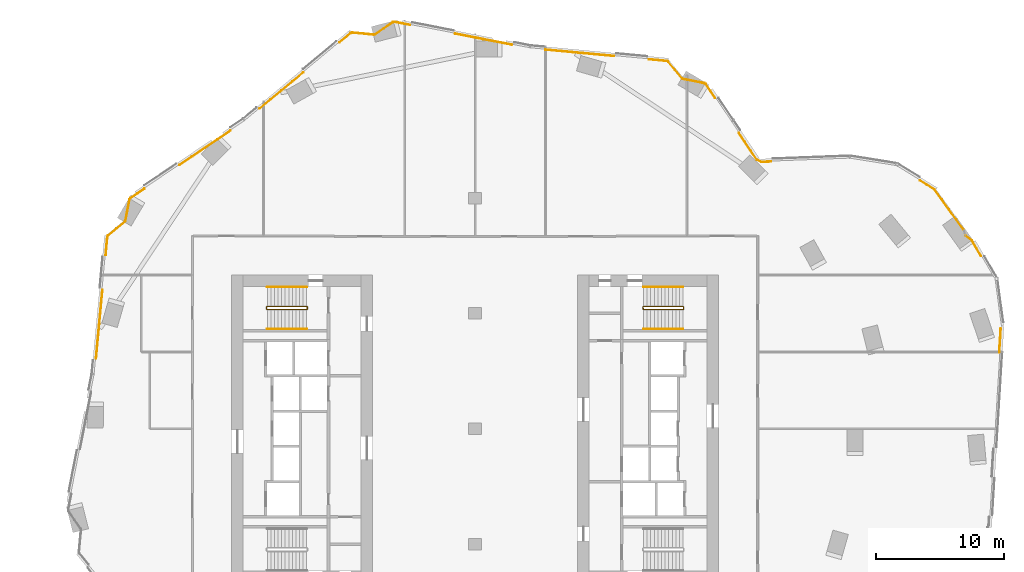
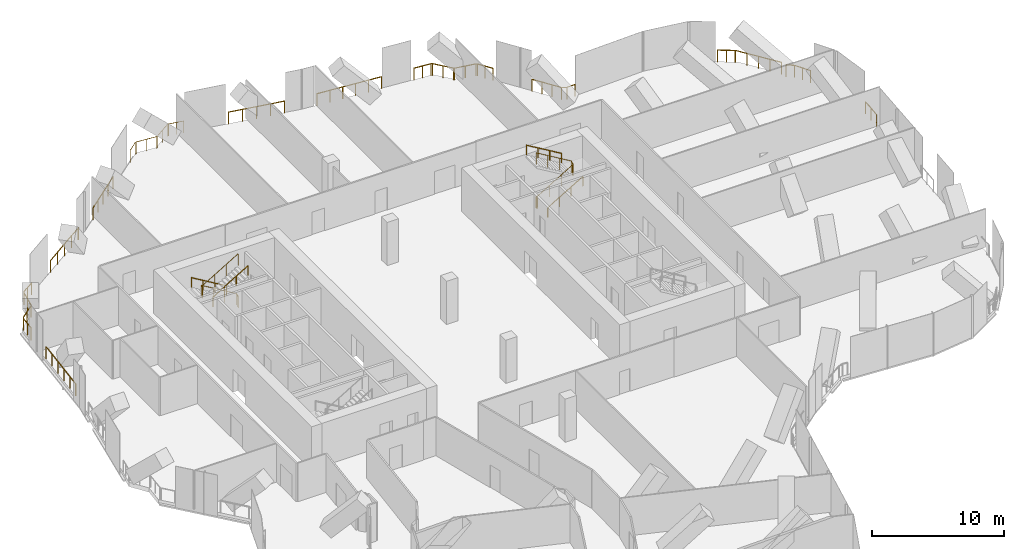
# One storey, part 27 of 28: 18 railings.
"""IFC4 building model written with IfcOpenShell, lengths in metres."""

from ifc_helpers import new_model, si_unit, direction, frame, origin, origin_2d, place, context, subcontext, project, spatial, circle, extrude, material, type_object, element, save


model = new_model("IFC4")

# Units and contexts
model_context = context("Model", 3, precision=1e-05, world=origin(), true_north=direction((0.0, 1.0)))
body_context = subcontext(model_context, "Body", "Model", "MODEL_VIEW")
ifc_project = project(units=[si_unit("LENGTHUNIT", "METRE"), si_unit("AREAUNIT", "SQUARE_METRE"), si_unit("VOLUMEUNIT", "CUBIC_METRE"), si_unit("PLANEANGLEUNIT", "RADIAN"), si_unit("MASSUNIT", "GRAM", prefix="KILO")], contexts=[model_context])

# Site, building, storey
site_placement = place(None, origin())
site = spatial("IfcSite", under=ifc_project, at=site_placement, CompositionType="ELEMENT")
building_placement = place(site_placement, origin())
building = spatial("IfcBuilding", under=site, at=building_placement, Name="Orlundy Tower", CompositionType="ELEMENT")
storey_placement = place(building_placement, frame((0.0, 0.0, 163.10009765625)))
storey = spatial("IfcBuildingStorey", under=building, at=storey_placement, Name="L42", CompositionType="ELEMENT", Elevation=163.10009765625)

# Railings
ifc_material_1 = material(Name="Steel balustrade", Category="steel")
railing_type_1 = type_object("IfcRailingType", Name="Stair Guard 1100", PredefinedType="GUARDRAIL", material=ifc_material_1)
railing_1_placement = place(storey_placement, frame((-13.090087890625, 9.5, 0.0)))
element("IfcRailing", 1, at=railing_1_placement, inside=storey, type_object=railing_type_1, Name="L42 ST-W1 stair guard 1", PredefinedType="GUARDRAIL", context=body_context, shape_type="SweptSolid", body=[
    extrude(circle(Radius=0.02392578125, at=origin_2d()), frame((0.0, 0.0, 1.076171875), z_axis=(0.0, -1.0, 0.0), x_axis=(1.0, 0.0, 0.0)), (0.0, 0.0, 1.0), 0.14990234375),
    extrude(circle(Radius=0.02392578125, at=origin_2d()), frame((0.0, -0.14990234375, 1.076171875), z_axis=(-0.187996396626, 0.754750239394, 0.628497757347), x_axis=(-0.970351222016, -0.241699205484, 0.0)), (0.0, 0.0, 1.0), 0.264892578125),
    extrude(circle(Radius=0.02392578125, at=origin_2d()), frame((-0.0498046875, 0.050048828125, 1.24267578125), z_axis=(-0.85927862911, 0.0, 0.511507807912), x_axis=(0.0, -1.0, 0.0)), (0.0, 0.0, 1.0), 3.58447265625),
    extrude(circle(Radius=0.02392578125, at=origin_2d()), frame((-3.1298828125, 0.050048828125, 3.076171875), z_axis=(-0.707106781187, -0.707106781187, 0.0), x_axis=(0.707106781187, -0.707106781187, 0.0)), (0.0, 0.0, 1.0), 0.07080078125),
    extrude(circle(Radius=0.02392578125, at=origin_2d()), frame((-3.179931640625, 0.0, 3.076171875), z_axis=(0.0, -1.0, 0.0), x_axis=(1.0, 0.0, 0.0)), (0.0, 0.0, 1.0), 0.14990234375),
    extrude(circle(Radius=0.02392578125, at=origin_2d()), frame((-3.179931640625, -0.14990234375, 3.076171875), z_axis=(0.27662974545, -0.27662974545, 0.920299933644), x_axis=(0.707106781187, 0.707106781187, 0.0)), (0.0, 0.0, 1.0), 0.180908203125),
    extrude(circle(Radius=0.02392578125, at=origin_2d()), frame((-3.1298828125, -0.199951171875, 3.24267578125), z_axis=(0.85927862911, 0.0, 0.511507807912), x_axis=(0.0, 1.0, 0.0)), (0.0, 0.0, 1.0), 3.58447265625),
    extrude(circle(Radius=0.02099609375, at=origin_2d()), origin(), (0.0, 0.0, 1.0), 1.052001953125),
    extrude(circle(Radius=0.02099609375, at=origin_2d()), frame((0.0, -0.14990234375, 0.0)), (0.0, 0.0, 1.0), 1.052001953125),
    extrude(circle(Radius=0.02099609375, at=origin_2d()), frame((-0.0498046875, 0.050048828125, 0.16650390625)), (0.0, 0.0, 1.0), 1.052001953125),
    extrude(circle(Radius=0.02099609375, at=origin_2d()), frame((-1.076416015625, 0.050048828125, 0.777587890625)), (0.0, 0.0, 1.0), 1.052001953125),
    extrude(circle(Radius=0.02099609375, at=origin_2d()), frame((-2.103271484375, 0.050048828125, 1.388916015625)), (0.0, 0.0, 1.0), 1.052001953125),
    extrude(circle(Radius=0.02099609375, at=origin_2d()), frame((-3.1298828125, 0.050048828125, 2.0)), (0.0, 0.0, 1.0), 1.052001953125),
    extrude(circle(Radius=0.02099609375, at=origin_2d()), frame((-3.179931640625, 0.0, 2.0)), (0.0, 0.0, 1.0), 1.052001953125),
    extrude(circle(Radius=0.02099609375, at=origin_2d()), frame((-3.179931640625, -0.14990234375, 2.0)), (0.0, 0.0, 1.0), 1.052001953125),
    extrude(circle(Radius=0.02099609375, at=origin_2d()), frame((-3.1298828125, -0.199951171875, 2.16650390625)), (0.0, 0.0, 1.0), 1.052001953125),
    extrude(circle(Radius=0.02099609375, at=origin_2d()), frame((-2.103271484375, -0.199951171875, 2.777587890625)), (0.0, 0.0, 1.0), 1.052001953125),
    extrude(circle(Radius=0.02099609375, at=origin_2d()), frame((-1.076416015625, -0.199951171875, 3.388916015625)), (0.0, 0.0, 1.0), 1.052001953125),
    extrude(circle(Radius=0.02099609375, at=origin_2d()), frame((-0.0498046875, -0.199951171875, 4.0)), (0.0, 0.0, 1.0), 1.052001953125),
])
railing_2_placement = place(storey_placement, frame((13.090087890625, 9.35009765625, 0.0)))
element("IfcRailing", 2, at=railing_2_placement, inside=storey, type_object=railing_type_1, Name="L42 ST-E2 stair guard 1", PredefinedType="GUARDRAIL", context=body_context, shape_type="SweptSolid", body=[
    extrude(circle(Radius=0.02392578125, at=origin_2d()), frame((0.0, 0.0, 1.076171875), z_axis=(0.0, 1.0, 0.0), x_axis=(-1.0, 0.0, 0.0)), (0.0, 0.0, 1.0), 0.14990234375),
    extrude(circle(Radius=0.02392578125, at=origin_2d()), frame((0.0, 0.14990234375, 1.076171875), z_axis=(0.187996396626, -0.754750239394, 0.628497757347), x_axis=(0.970351222016, 0.241699205484, 0.0)), (0.0, 0.0, 1.0), 0.264892578125),
    extrude(circle(Radius=0.02392578125, at=origin_2d()), frame((0.0498046875, -0.050048828125, 1.24267578125), z_axis=(0.85927862911, 0.0, 0.511507807912), x_axis=(0.0, 1.0, 0.0)), (0.0, 0.0, 1.0), 3.58447265625),
    extrude(circle(Radius=0.02392578125, at=origin_2d()), frame((3.1298828125, -0.050048828125, 3.076171875), z_axis=(0.707106781187, 0.707106781187, 0.0), x_axis=(-0.707106781187, 0.707106781187, 0.0)), (0.0, 0.0, 1.0), 0.07080078125),
    extrude(circle(Radius=0.02392578125, at=origin_2d()), frame((3.179931640625, 0.0, 3.076171875), z_axis=(0.0, 1.0, 0.0), x_axis=(-1.0, 0.0, 0.0)), (0.0, 0.0, 1.0), 0.14990234375),
    extrude(circle(Radius=0.02392578125, at=origin_2d()), frame((3.179931640625, 0.14990234375, 3.076171875), z_axis=(-0.27662974545, 0.27662974545, 0.920299933644), x_axis=(-0.707106781187, -0.707106781187, 0.0)), (0.0, 0.0, 1.0), 0.180908203125),
    extrude(circle(Radius=0.02392578125, at=origin_2d()), frame((3.1298828125, 0.199951171875, 3.24267578125), z_axis=(-0.85927862911, 0.0, 0.511507807912), x_axis=(0.0, -1.0, 0.0)), (0.0, 0.0, 1.0), 3.58447265625),
    extrude(circle(Radius=0.02099609375, at=origin_2d()), origin(), (0.0, 0.0, 1.0), 1.052001953125),
    extrude(circle(Radius=0.02099609375, at=origin_2d()), frame((0.0, 0.14990234375, 0.0)), (0.0, 0.0, 1.0), 1.052001953125),
    extrude(circle(Radius=0.02099609375, at=origin_2d()), frame((0.0498046875, -0.050048828125, 0.16650390625)), (0.0, 0.0, 1.0), 1.052001953125),
    extrude(circle(Radius=0.02099609375, at=origin_2d()), frame((1.076416015625, -0.050048828125, 0.777587890625)), (0.0, 0.0, 1.0), 1.052001953125),
    extrude(circle(Radius=0.02099609375, at=origin_2d()), frame((2.103271484375, -0.050048828125, 1.388916015625)), (0.0, 0.0, 1.0), 1.052001953125),
    extrude(circle(Radius=0.02099609375, at=origin_2d()), frame((3.1298828125, -0.050048828125, 2.0)), (0.0, 0.0, 1.0), 1.052001953125),
    extrude(circle(Radius=0.02099609375, at=origin_2d()), frame((3.179931640625, 0.0, 2.0)), (0.0, 0.0, 1.0), 1.052001953125),
    extrude(circle(Radius=0.02099609375, at=origin_2d()), frame((3.179931640625, 0.14990234375, 2.0)), (0.0, 0.0, 1.0), 1.052001953125),
    extrude(circle(Radius=0.02099609375, at=origin_2d()), frame((3.1298828125, 0.199951171875, 2.16650390625)), (0.0, 0.0, 1.0), 1.052001953125),
    extrude(circle(Radius=0.02099609375, at=origin_2d()), frame((2.103271484375, 0.199951171875, 2.777587890625)), (0.0, 0.0, 1.0), 1.052001953125),
    extrude(circle(Radius=0.02099609375, at=origin_2d()), frame((1.076416015625, 0.199951171875, 3.388916015625)), (0.0, 0.0, 1.0), 1.052001953125),
    extrude(circle(Radius=0.02099609375, at=origin_2d()), frame((0.0498046875, 0.199951171875, 4.0)), (0.0, 0.0, 1.0), 1.052001953125),
])
ifc_material_2 = material(Name="Steel handrail", Category="steel")
railing_type_2 = type_object("IfcRailingType", Name="Stair Handrail 900", PredefinedType="HANDRAIL", material=ifc_material_2)
railing_3_placement = place(storey_placement, frame((-13.139892578125, 11.050048828125, 0.16650390625)))
element("IfcRailing", 3, at=railing_3_placement, inside=storey, type_object=railing_type_2, Name="L42 ST-W1 stair handrail 1", PredefinedType="HANDRAIL", context=body_context, shape_type="SweptSolid", body=[
    extrude(circle(Radius=0.02392578125, at=origin_2d()), frame((0.0, 0.0, 0.8759765625), z_axis=(-0.85927862911, 0.0, 0.511507807912), x_axis=(0.0, -1.0, 0.0)), (0.0, 0.0, 1.0), 3.58447265625),
    extrude(circle(Radius=0.02099609375, at=origin_2d()), origin(), (0.0, 0.0, 1.0), 0.851806640625),
    extrude(circle(Radius=0.02099609375, at=origin_2d()), frame((-1.026611328125, 0.0, 0.611083984375)), (0.0, 0.0, 1.0), 0.851806640625),
    extrude(circle(Radius=0.02099609375, at=origin_2d()), frame((-2.053466796875, 0.0, 1.222412109375)), (0.0, 0.0, 1.0), 0.851806640625),
    extrude(circle(Radius=0.02099609375, at=origin_2d()), frame((-3.080078125, 0.0, 1.83349609375)), (0.0, 0.0, 1.0), 0.851806640625),
])
for number, where, name in (
    (4, (-16.219970703125, 7.800048828125, 2.16650390625), "L42 ST-W1 stair handrail 2"),
    (5, (13.139892578125, 7.800048828125, 0.16650390625), "L42 ST-E2 stair handrail 1"),
):
    element("IfcRailing", number, at=place(storey_placement, frame(where)), inside=storey, type_object=railing_type_2, Name=name, PredefinedType="HANDRAIL", context=body_context, shape_type="SweptSolid", body=[
        extrude(circle(Radius=0.02392578125, at=origin_2d()), frame((0.0, 0.0, 0.8759765625), z_axis=(0.85927862911, 0.0, 0.511507807912), x_axis=(0.0, 1.0, 0.0)), (0.0, 0.0, 1.0), 3.58447265625),
        extrude(circle(Radius=0.02099609375, at=origin_2d()), origin(), (0.0, 0.0, 1.0), 0.851806640625),
        extrude(circle(Radius=0.02099609375, at=origin_2d()), frame((1.026611328125, 0.0, 0.611083984375)), (0.0, 0.0, 1.0), 0.851806640625),
        extrude(circle(Radius=0.02099609375, at=origin_2d()), frame((2.053466796875, 0.0, 1.222412109375)), (0.0, 0.0, 1.0), 0.851806640625),
        extrude(circle(Radius=0.02099609375, at=origin_2d()), frame((3.080078125, 0.0, 1.83349609375)), (0.0, 0.0, 1.0), 0.851806640625),
    ])
railing_4_placement = place(storey_placement, frame((16.219970703125, 11.050048828125, 2.16650390625)))
element("IfcRailing", 6, at=railing_4_placement, inside=storey, type_object=railing_type_2, Name="L42 ST-E2 stair handrail 2", PredefinedType="HANDRAIL", context=body_context, shape_type="SweptSolid", body=[
    extrude(circle(Radius=0.02392578125, at=origin_2d()), frame((0.0, 0.0, 0.8759765625), z_axis=(-0.85927862911, 0.0, 0.511507807912), x_axis=(0.0, -1.0, 0.0)), (0.0, 0.0, 1.0), 3.58447265625),
    extrude(circle(Radius=0.02099609375, at=origin_2d()), origin(), (0.0, 0.0, 1.0), 0.851806640625),
    extrude(circle(Radius=0.02099609375, at=origin_2d()), frame((-1.026611328125, 0.0, 0.611083984375)), (0.0, 0.0, 1.0), 0.851806640625),
    extrude(circle(Radius=0.02099609375, at=origin_2d()), frame((-2.053466796875, 0.0, 1.222412109375)), (0.0, 0.0, 1.0), 0.851806640625),
    extrude(circle(Radius=0.02099609375, at=origin_2d()), frame((-3.080078125, 0.0, 1.83349609375)), (0.0, 0.0, 1.0), 0.851806640625),
])
ifc_material_3 = material(Name="Stainless steel bronze finish", Category="steel")
railing_type_3 = type_object("IfcRailingType", Name="TG1 terrace guard", PredefinedType="GUARDRAIL", material=ifc_material_3)
railing_5_placement = place(storey_placement, frame((13.55029296875, 28.8251953125, 0.0)))
element("IfcRailing", 7, at=railing_5_placement, inside=storey, type_object=railing_type_3, Name="Guard TG-L42-E01", PredefinedType="GUARDRAIL", context=body_context, shape_type="SweptSolid", body=[
    extrude(circle(Radius=0.02490234375, at=origin_2d()), frame((0.0, 0.0, 1.09521484375), z_axis=(0.995675251779, -0.0929020613, 0.0), x_axis=(0.0929020613, 0.995675251779, 0.0)), (0.0, 0.0, 1.0), 1.413818359375),
    extrude(circle(Radius=0.02490234375, at=origin_2d()), frame((1.40771484375, -0.13134765625, 1.09521484375), z_axis=(0.894032126448, -0.448002853651, 0.0), x_axis=(0.448002853651, 0.894032126448, 0.0)), (0.0, 0.0, 1.0), 0.123779296875),
    extrude(circle(Radius=0.02490234375, at=origin_2d()), frame((1.518310546875, -0.186767578125, 1.09521484375), z_axis=(0.638294465804, -0.769792293365, 0.0), x_axis=(0.769792293365, 0.638294465804, 0.0)), (0.0, 0.0, 1.0), 1.704345703125),
    extrude(circle(Radius=0.02490234375, at=origin_2d()), frame((2.606201171875, -1.498779296875, 1.09521484375), z_axis=(0.860144425318, -0.51005055396, 0.0), x_axis=(0.51005055396, 0.860144425318, 0.0)), (0.0, 0.0, 1.0), 0.080810546875),
    extrude(circle(Radius=0.02490234375, at=origin_2d()), frame((2.67578125, -1.5400390625, 1.09521484375), z_axis=(0.981656370167, -0.190658781365, 0.0), x_axis=(0.190658781365, 0.981656370167, 0.0)), (0.0, 0.0, 1.0), 1.704345703125),
    extrude(circle(Radius=0.02490234375, at=origin_2d()), frame((4.348876953125, -1.864990234375, 1.09521484375), z_axis=(0.822192191644, -0.56920997883, 0.0), x_axis=(0.56920997883, 0.822192191644, 0.0)), (0.0, 0.0, 1.0), 0.12353515625),
    extrude(circle(Radius=0.02490234375, at=origin_2d()), frame((4.450439453125, -1.935302734375, 1.09521484375), z_axis=(0.559138678008, -0.829074145511, 0.0), x_axis=(0.829074145511, 0.559138678008, 0.0)), (0.0, 0.0, 1.0), 1.30517578125),
    extrude(circle(Radius=0.02001953125, at=origin_2d()), origin(), (0.0, 0.0, 1.0), 1.070068359375),
    extrude(circle(Radius=0.02001953125, at=origin_2d()), frame((0.703857421875, -0.065673828125, 0.0)), (0.0, 0.0, 1.0), 1.070068359375),
    extrude(circle(Radius=0.02001953125, at=origin_2d()), frame((1.40771484375, -0.13134765625, 0.0)), (0.0, 0.0, 1.0), 1.070068359375),
    extrude(circle(Radius=0.02001953125, at=origin_2d()), frame((1.518310546875, -0.186767578125, 0.0)), (0.0, 0.0, 1.0), 1.070068359375),
    extrude(circle(Radius=0.02001953125, at=origin_2d()), frame((2.062255859375, -0.8427734375, 0.0)), (0.0, 0.0, 1.0), 1.070068359375),
    extrude(circle(Radius=0.02001953125, at=origin_2d()), frame((2.606201171875, -1.498779296875, 0.0)), (0.0, 0.0, 1.0), 1.070068359375),
    extrude(circle(Radius=0.02001953125, at=origin_2d()), frame((2.67578125, -1.5400390625, 0.0)), (0.0, 0.0, 1.0), 1.070068359375),
    extrude(circle(Radius=0.02001953125, at=origin_2d()), frame((3.51220703125, -1.70263671875, 0.0)), (0.0, 0.0, 1.0), 1.070068359375),
    extrude(circle(Radius=0.02001953125, at=origin_2d()), frame((4.348876953125, -1.864990234375, 0.0)), (0.0, 0.0, 1.0), 1.070068359375),
    extrude(circle(Radius=0.02001953125, at=origin_2d()), frame((4.450439453125, -1.935302734375, 0.0)), (0.0, 0.0, 1.0), 1.070068359375),
    extrude(circle(Radius=0.02001953125, at=origin_2d()), frame((4.8154296875, -2.476318359375, 0.0)), (0.0, 0.0, 1.0), 1.070068359375),
    extrude(circle(Radius=0.02001953125, at=origin_2d()), frame((5.18017578125, -3.017333984375, 0.0)), (0.0, 0.0, 1.0), 1.070068359375),
])
railing_6_placement = place(storey_placement, frame((-28.8251953125, 13.55029296875, 0.0)))
element("IfcRailing", 8, at=railing_6_placement, inside=storey, type_object=railing_type_3, Name="Guard TG-L42-E02", PredefinedType="GUARDRAIL", context=body_context, shape_type="SweptSolid", body=[
    extrude(circle(Radius=0.02490234375, at=origin_2d()), frame((0.0, 0.0, 1.09521484375), z_axis=(0.0929020613, 0.995675251779, 0.0), x_axis=(-0.995675251779, 0.0929020613, 0.0)), (0.0, 0.0, 1.0), 1.413818359375),
    extrude(circle(Radius=0.02490234375, at=origin_2d()), frame((0.13134765625, 1.40771484375, 1.09521484375), z_axis=(0.448002853651, 0.894032126448, 0.0), x_axis=(-0.894032126448, 0.448002853651, 0.0)), (0.0, 0.0, 1.0), 0.123779296875),
    extrude(circle(Radius=0.02490234375, at=origin_2d()), frame((0.186767578125, 1.518310546875, 1.09521484375), z_axis=(0.769792293365, 0.638294465804, 0.0), x_axis=(-0.638294465804, 0.769792293365, 0.0)), (0.0, 0.0, 1.0), 1.704345703125),
    extrude(circle(Radius=0.02490234375, at=origin_2d()), frame((1.498779296875, 2.606201171875, 1.09521484375), z_axis=(0.51005055396, 0.860144425318, 0.0), x_axis=(-0.860144425318, 0.51005055396, 0.0)), (0.0, 0.0, 1.0), 0.080810546875),
    extrude(circle(Radius=0.02490234375, at=origin_2d()), frame((1.5400390625, 2.67578125, 1.09521484375), z_axis=(0.190658781365, 0.981656370167, 0.0), x_axis=(-0.981656370167, 0.190658781365, 0.0)), (0.0, 0.0, 1.0), 1.704345703125),
    extrude(circle(Radius=0.02490234375, at=origin_2d()), frame((1.864990234375, 4.348876953125, 1.09521484375), z_axis=(0.56920997883, 0.822192191644, 0.0), x_axis=(-0.822192191644, 0.56920997883, 0.0)), (0.0, 0.0, 1.0), 0.12353515625),
    extrude(circle(Radius=0.02490234375, at=origin_2d()), frame((1.935302734375, 4.450439453125, 1.09521484375), z_axis=(0.829074145511, 0.559138678008, 0.0), x_axis=(-0.559138678008, 0.829074145511, 0.0)), (0.0, 0.0, 1.0), 1.30517578125),
    extrude(circle(Radius=0.02001953125, at=origin_2d()), origin(), (0.0, 0.0, 1.0), 1.070068359375),
    extrude(circle(Radius=0.02001953125, at=origin_2d()), frame((0.065673828125, 0.703857421875, 0.0)), (0.0, 0.0, 1.0), 1.070068359375),
    extrude(circle(Radius=0.02001953125, at=origin_2d()), frame((0.13134765625, 1.40771484375, 0.0)), (0.0, 0.0, 1.0), 1.070068359375),
    extrude(circle(Radius=0.02001953125, at=origin_2d()), frame((0.186767578125, 1.518310546875, 0.0)), (0.0, 0.0, 1.0), 1.070068359375),
    extrude(circle(Radius=0.02001953125, at=origin_2d()), frame((0.8427734375, 2.062255859375, 0.0)), (0.0, 0.0, 1.0), 1.070068359375),
    extrude(circle(Radius=0.02001953125, at=origin_2d()), frame((1.498779296875, 2.606201171875, 0.0)), (0.0, 0.0, 1.0), 1.070068359375),
    extrude(circle(Radius=0.02001953125, at=origin_2d()), frame((1.5400390625, 2.67578125, 0.0)), (0.0, 0.0, 1.0), 1.070068359375),
    extrude(circle(Radius=0.02001953125, at=origin_2d()), frame((1.70263671875, 3.51220703125, 0.0)), (0.0, 0.0, 1.0), 1.070068359375),
    extrude(circle(Radius=0.02001953125, at=origin_2d()), frame((1.864990234375, 4.348876953125, 0.0)), (0.0, 0.0, 1.0), 1.070068359375),
    extrude(circle(Radius=0.02001953125, at=origin_2d()), frame((1.935302734375, 4.450439453125, 0.0)), (0.0, 0.0, 1.0), 1.070068359375),
    extrude(circle(Radius=0.02001953125, at=origin_2d()), frame((2.476318359375, 4.8154296875, 0.0)), (0.0, 0.0, 1.0), 1.070068359375),
    extrude(circle(Radius=0.02001953125, at=origin_2d()), frame((3.017333984375, 5.18017578125, 0.0)), (0.0, 0.0, 1.0), 1.070068359375),
])
railing_7_placement = place(storey_placement, frame((-10.569580078125, 30.15576171875, 0.0)))
element("IfcRailing", 9, at=railing_7_placement, inside=storey, type_object=railing_type_3, Name="Guard TG-L42-E07", PredefinedType="GUARDRAIL", context=body_context, shape_type="SweptSolid", body=[
    extrude(circle(Radius=0.02490234375, at=origin_2d()), frame((0.0, 0.0, 1.09521484375), z_axis=(0.769818394218, 0.638262986491, 0.0), x_axis=(-0.638262986491, 0.769818394218, 0.0)), (0.0, 0.0, 1.0), 1.113525390625),
    extrude(circle(Radius=0.02490234375, at=origin_2d()), frame((0.857177734375, 0.710693359375, 1.09521484375), z_axis=(0.948683298051, 0.316227766017, 0.0), x_axis=(-0.316227766017, 0.948683298051, 0.0)), (0.0, 0.0, 1.0), 0.12353515625),
    extrude(circle(Radius=0.02490234375, at=origin_2d()), frame((0.974365234375, 0.749755859375, 1.09521484375), z_axis=(0.995695991535, -0.092679514677, 0.0), x_axis=(0.092679514677, 0.995695991535, 0.0)), (0.0, 0.0, 1.0), 1.704345703125),
    extrude(circle(Radius=0.02490234375, at=origin_2d()), frame((2.67138671875, 0.591796875, 1.09521484375), z_axis=(0.96888691683, 0.247503822991, 0.0), x_axis=(-0.247503822991, 0.96888691683, 0.0)), (0.0, 0.0, 1.0), 0.080810546875),
    extrude(circle(Radius=0.02490234375, at=origin_2d()), frame((2.749755859375, 0.61181640625, 1.09521484375), z_axis=(0.829062861887, 0.559155408665, 0.0), x_axis=(-0.559155408665, 0.829062861887, 0.0)), (0.0, 0.0, 1.0), 1.7041015625),
    extrude(circle(Radius=0.02490234375, at=origin_2d()), frame((4.16259765625, 1.564697265625, 1.09521484375), z_axis=(0.983711500259, 0.179754511092, 0.0), x_axis=(-0.179754511092, 0.983711500259, 0.0)), (0.0, 0.0, 1.0), 0.12353515625),
    extrude(circle(Radius=0.02490234375, at=origin_2d()), frame((4.2841796875, 1.5869140625, 1.09521484375), z_axis=(0.981606986192, -0.190912871903, 0.0), x_axis=(0.190912871903, 0.981606986192, 0.0)), (0.0, 0.0, 1.0), 1.209716796875),
    extrude(circle(Radius=0.02001953125, at=origin_2d()), origin(), (0.0, 0.0, 1.0), 1.070068359375),
    extrude(circle(Radius=0.02001953125, at=origin_2d()), frame((0.857177734375, 0.710693359375, 0.0)), (0.0, 0.0, 1.0), 1.070068359375),
    extrude(circle(Radius=0.02001953125, at=origin_2d()), frame((0.974365234375, 0.749755859375, 0.0)), (0.0, 0.0, 1.0), 1.070068359375),
    extrude(circle(Radius=0.02001953125, at=origin_2d()), frame((1.82275390625, 0.6708984375, 0.0)), (0.0, 0.0, 1.0), 1.070068359375),
    extrude(circle(Radius=0.02001953125, at=origin_2d()), frame((2.67138671875, 0.591796875, 0.0)), (0.0, 0.0, 1.0), 1.070068359375),
    extrude(circle(Radius=0.02001953125, at=origin_2d()), frame((2.749755859375, 0.61181640625, 0.0)), (0.0, 0.0, 1.0), 1.070068359375),
    extrude(circle(Radius=0.02001953125, at=origin_2d()), frame((3.4560546875, 1.08837890625, 0.0)), (0.0, 0.0, 1.0), 1.070068359375),
    extrude(circle(Radius=0.02001953125, at=origin_2d()), frame((4.16259765625, 1.564697265625, 0.0)), (0.0, 0.0, 1.0), 1.070068359375),
    extrude(circle(Radius=0.02001953125, at=origin_2d()), frame((4.2841796875, 1.5869140625, 0.0)), (0.0, 0.0, 1.0), 1.070068359375),
    extrude(circle(Radius=0.02001953125, at=origin_2d()), frame((4.8779296875, 1.471435546875, 0.0)), (0.0, 0.0, 1.0), 1.070068359375),
    extrude(circle(Radius=0.02001953125, at=origin_2d()), frame((5.4716796875, 1.35595703125, 0.0)), (0.0, 0.0, 1.0), 1.070068359375),
])
railing_8_placement = place(storey_placement, frame((-29.578857421875, 5.479248046875, 0.0)))
element("IfcRailing", 10, at=railing_8_placement, inside=storey, type_object=railing_type_3, Name="Guard TG-L42-E010", PredefinedType="GUARDRAIL", context=body_context, shape_type="SweptSolid", body=[
    extrude(circle(Radius=0.02490234375, at=origin_2d()), frame((0.0, 0.0, 1.09521484375), z_axis=(0.092968957694, 0.995669007706, 0.0), x_axis=(-0.995669007706, 0.092968957694, 0.0)), (0.0, 0.0, 1.0), 5.391357421875),
    extrude(circle(Radius=0.02001953125, at=origin_2d()), origin(), (0.0, 0.0, 1.0), 1.070068359375),
    extrude(circle(Radius=0.02001953125, at=origin_2d()), frame((0.100341796875, 1.073486328125, 0.0)), (0.0, 0.0, 1.0), 1.070068359375),
    extrude(circle(Radius=0.02001953125, at=origin_2d()), frame((0.200439453125, 2.147216796875, 0.0)), (0.0, 0.0, 1.0), 1.070068359375),
    extrude(circle(Radius=0.02001953125, at=origin_2d()), frame((0.30078125, 3.220703125, 0.0)), (0.0, 0.0, 1.0), 1.070068359375),
    extrude(circle(Radius=0.02001953125, at=origin_2d()), frame((0.40087890625, 4.29443359375, 0.0)), (0.0, 0.0, 1.0), 1.070068359375),
    extrude(circle(Radius=0.02001953125, at=origin_2d()), frame((0.501220703125, 5.367919921875, 0.0)), (0.0, 0.0, 1.0), 1.070068359375),
])
railing_9_placement = place(storey_placement, frame((5.479248046875, 29.578857421875, 0.0)))
element("IfcRailing", 11, at=railing_9_placement, inside=storey, type_object=railing_type_3, Name="Guard TG-L42-E011", PredefinedType="GUARDRAIL", context=body_context, shape_type="SweptSolid", body=[
    extrude(circle(Radius=0.02490234375, at=origin_2d()), frame((0.0, 0.0, 1.09521484375), z_axis=(0.995669007706, -0.092968957694, 0.0), x_axis=(0.092968957694, 0.995669007706, 0.0)), (0.0, 0.0, 1.0), 5.391357421875),
    extrude(circle(Radius=0.02001953125, at=origin_2d()), origin(), (0.0, 0.0, 1.0), 1.070068359375),
    extrude(circle(Radius=0.02001953125, at=origin_2d()), frame((1.073486328125, -0.100341796875, 0.0)), (0.0, 0.0, 1.0), 1.070068359375),
    extrude(circle(Radius=0.02001953125, at=origin_2d()), frame((2.147216796875, -0.200439453125, 0.0)), (0.0, 0.0, 1.0), 1.070068359375),
    extrude(circle(Radius=0.02001953125, at=origin_2d()), frame((3.220703125, -0.30078125, 0.0)), (0.0, 0.0, 1.0), 1.070068359375),
    extrude(circle(Radius=0.02001953125, at=origin_2d()), frame((4.29443359375, -0.40087890625, 0.0)), (0.0, 0.0, 1.0), 1.070068359375),
    extrude(circle(Radius=0.02001953125, at=origin_2d()), frame((5.367919921875, -0.501220703125, 0.0)), (0.0, 0.0, 1.0), 1.070068359375),
])
railing_10_placement = place(storey_placement, frame((34.693359375, 19.37451171875, 0.0)))
element("IfcRailing", 12, at=railing_10_placement, inside=storey, type_object=railing_type_3, Name="Guard TG-L42-E012", PredefinedType="GUARDRAIL", context=body_context, shape_type="SweptSolid", body=[
    extrude(circle(Radius=0.02490234375, at=origin_2d()), frame((0.0, 0.0, 1.09521484375), z_axis=(0.851738648031, -0.523966864839, 0.0), x_axis=(0.523966864839, 0.851738648031, 0.0)), (0.0, 0.0, 1.0), 1.3564453125),
    extrude(circle(Radius=0.02490234375, at=origin_2d()), frame((1.1552734375, -0.710693359375, 1.09521484375), z_axis=(0.585330901218, -0.810794509157, 0.0), x_axis=(0.810794509157, 0.585330901218, 0.0)), (0.0, 0.0, 1.0), 3.852783203125),
    extrude(circle(Radius=0.02001953125, at=origin_2d()), origin(), (0.0, 0.0, 1.0), 1.070068359375),
    extrude(circle(Radius=0.02001953125, at=origin_2d()), frame((0.57763671875, -0.35546875, 0.0)), (0.0, 0.0, 1.0), 1.070068359375),
    extrude(circle(Radius=0.02001953125, at=origin_2d()), frame((1.1552734375, -0.710693359375, 0.0)), (0.0, 0.0, 1.0), 1.070068359375),
    extrude(circle(Radius=0.02001953125, at=origin_2d()), frame((1.718994140625, -1.49169921875, 0.0)), (0.0, 0.0, 1.0), 1.070068359375),
    extrude(circle(Radius=0.02001953125, at=origin_2d()), frame((2.28271484375, -2.2724609375, 0.0)), (0.0, 0.0, 1.0), 1.070068359375),
    extrude(circle(Radius=0.02001953125, at=origin_2d()), frame((2.8466796875, -3.053466796875, 0.0)), (0.0, 0.0, 1.0), 1.070068359375),
    extrude(circle(Radius=0.02001953125, at=origin_2d()), frame((3.410400390625, -3.83447265625, 0.0)), (0.0, 0.0, 1.0), 1.070068359375),
])
railing_11_placement = place(storey_placement, frame((-23.064697265625, 20.580810546875, 0.0)))
element("IfcRailing", 13, at=railing_11_placement, inside=storey, type_object=railing_type_3, Name="Guard TG-L42-E013", PredefinedType="GUARDRAIL", context=body_context, shape_type="SweptSolid", body=[
    extrude(circle(Radius=0.02490234375, at=origin_2d()), frame((0.0, 0.0, 1.09521484375), z_axis=(0.829017142599, 0.559223190932, 0.0), x_axis=(-0.559223190932, 0.829017142599, 0.0)), (0.0, 0.0, 1.0), 4.787109375),
    extrude(circle(Radius=0.02001953125, at=origin_2d()), origin(), (0.0, 0.0, 1.0), 1.070068359375),
    extrude(circle(Radius=0.02001953125, at=origin_2d()), frame((0.9921875, 0.669189453125, 0.0)), (0.0, 0.0, 1.0), 1.070068359375),
    extrude(circle(Radius=0.02001953125, at=origin_2d()), frame((1.984375, 1.33837890625, 0.0)), (0.0, 0.0, 1.0), 1.070068359375),
    extrude(circle(Radius=0.02001953125, at=origin_2d()), frame((2.976318359375, 2.0078125, 0.0)), (0.0, 0.0, 1.0), 1.070068359375),
    extrude(circle(Radius=0.02001953125, at=origin_2d()), frame((3.968505859375, 2.677001953125, 0.0)), (0.0, 0.0, 1.0), 1.070068359375),
])
railing_12_placement = place(storey_placement, frame((-1.563232421875, 30.82470703125, 0.0)))
element("IfcRailing", 14, at=railing_12_placement, inside=storey, type_object=railing_type_3, Name="Guard TG-L42-E015", PredefinedType="GUARDRAIL", context=body_context, shape_type="SweptSolid", body=[
    extrude(circle(Radius=0.02490234375, at=origin_2d()), frame((0.0, 0.0, 1.09521484375), z_axis=(0.981631465097, -0.190786966879, 0.0), x_axis=(0.190786966879, 0.981631465097, 0.0)), (0.0, 0.0, 1.0), 4.50439453125),
    extrude(circle(Radius=0.02001953125, at=origin_2d()), origin(), (0.0, 0.0, 1.0), 1.070068359375),
    extrude(circle(Radius=0.02001953125, at=origin_2d()), frame((1.10546875, -0.21484375, 0.0)), (0.0, 0.0, 1.0), 1.070068359375),
    extrude(circle(Radius=0.02001953125, at=origin_2d()), frame((2.2109375, -0.4296875, 0.0)), (0.0, 0.0, 1.0), 1.070068359375),
    extrude(circle(Radius=0.02001953125, at=origin_2d()), frame((3.316162109375, -0.64453125, 0.0)), (0.0, 0.0, 1.0), 1.070068359375),
    extrude(circle(Radius=0.02001953125, at=origin_2d()), frame((4.421630859375, -0.859375, 0.0)), (0.0, 0.0, 1.0), 1.070068359375),
])
railing_13_placement = place(storey_placement, frame((-16.806884765625, 24.983642578125, 0.0)))
element("IfcRailing", 15, at=railing_13_placement, inside=storey, type_object=railing_type_3, Name="Guard TG-L42-E016", PredefinedType="GUARDRAIL", context=body_context, shape_type="SweptSolid", body=[
    extrude(circle(Radius=0.02490234375, at=origin_2d()), frame((0.0, 0.0, 1.09521484375), z_axis=(0.769748010234, 0.638347868126, 0.0), x_axis=(-0.638347868126, 0.769748010234, 0.0)), (0.0, 0.0, 1.0), 4.410888671875),
    extrude(circle(Radius=0.02001953125, at=origin_2d()), origin(), (0.0, 0.0, 1.0), 1.070068359375),
    extrude(circle(Radius=0.02001953125, at=origin_2d()), frame((0.848876953125, 0.703857421875, 0.0)), (0.0, 0.0, 1.0), 1.070068359375),
    extrude(circle(Radius=0.02001953125, at=origin_2d()), frame((1.69775390625, 1.40771484375, 0.0)), (0.0, 0.0, 1.0), 1.070068359375),
    extrude(circle(Radius=0.02001953125, at=origin_2d()), frame((2.54638671875, 2.11181640625, 0.0)), (0.0, 0.0, 1.0), 1.070068359375),
    extrude(circle(Radius=0.02001953125, at=origin_2d()), frame((3.395263671875, 2.815673828125, 0.0)), (0.0, 0.0, 1.0), 1.070068359375),
])
railing_14_placement = place(storey_placement, frame((20.580810546875, 23.064697265625, 0.0)))
element("IfcRailing", 16, at=railing_14_placement, inside=storey, type_object=railing_type_3, Name="Guard TG-L42-E019", PredefinedType="GUARDRAIL", context=body_context, shape_type="SweptSolid", body=[
    extrude(circle(Radius=0.02490234375, at=origin_2d()), frame((0.0, 0.0, 1.09521484375), z_axis=(0.559136979751, -0.829075290836, 0.0), x_axis=(0.829075290836, 0.559136979751, 0.0)), (0.0, 0.0, 1.0), 2.4970703125),
    extrude(circle(Radius=0.02490234375, at=origin_2d()), frame((1.396240234375, -2.0703125, 1.09521484375), z_axis=(0.891772117691, -0.452484795446, 0.0), x_axis=(0.452484795446, 0.891772117691, 0.0)), (0.0, 0.0, 1.0), 0.388427734375),
    extrude(circle(Radius=0.02490234375, at=origin_2d()), frame((1.74267578125, -2.24609375, 1.09521484375), z_axis=(0.999285049887, 0.037807262161, 0.0), x_axis=(-0.037807262161, 0.999285049887, 0.0)), (0.0, 0.0, 1.0), 0.7490234375),
    extrude(circle(Radius=0.02001953125, at=origin_2d()), origin(), (0.0, 0.0, 1.0), 1.070068359375),
    extrude(circle(Radius=0.02001953125, at=origin_2d()), frame((0.46533203125, -0.690185546875, 0.0)), (0.0, 0.0, 1.0), 1.070068359375),
    extrude(circle(Radius=0.02001953125, at=origin_2d()), frame((0.930908203125, -1.380126953125, 0.0)), (0.0, 0.0, 1.0), 1.070068359375),
    extrude(circle(Radius=0.02001953125, at=origin_2d()), frame((1.396240234375, -2.0703125, 0.0)), (0.0, 0.0, 1.0), 1.070068359375),
    extrude(circle(Radius=0.02001953125, at=origin_2d()), frame((1.74267578125, -2.24609375, 0.0)), (0.0, 0.0, 1.0), 1.070068359375),
    extrude(circle(Radius=0.02001953125, at=origin_2d()), frame((2.4912109375, -2.2177734375, 0.0)), (0.0, 0.0, 1.0), 1.070068359375),
])
railing_15_placement = place(storey_placement, frame((38.241455078125, 15.07958984375, 0.0)))
element("IfcRailing", 17, at=railing_15_placement, inside=storey, type_object=railing_type_3, Name="Guard TG-L42-E029", PredefinedType="GUARDRAIL", context=body_context, shape_type="SweptSolid", body=[
    extrude(circle(Radius=0.02490234375, at=origin_2d()), frame((0.0, 0.0, 1.09521484375), z_axis=(0.801928568558, -0.597419928468, 0.0), x_axis=(0.597419928468, 0.801928568558, 0.0)), (0.0, 0.0, 1.0), 0.65185546875),
    extrude(circle(Radius=0.02490234375, at=origin_2d()), frame((0.522705078125, -0.389404296875, 1.09521484375), z_axis=(0.503881851138, -0.863772585866, 0.0), x_axis=(0.863772585866, 0.503881851138, 0.0)), (0.0, 0.0, 1.0), 1.402099609375),
    extrude(circle(Radius=0.02001953125, at=origin_2d()), origin(), (0.0, 0.0, 1.0), 1.070068359375),
    extrude(circle(Radius=0.02001953125, at=origin_2d()), frame((0.522705078125, -0.389404296875, 0.0)), (0.0, 0.0, 1.0), 1.070068359375),
    extrude(circle(Radius=0.02001953125, at=origin_2d()), frame((0.8759765625, -0.9951171875, 0.0)), (0.0, 0.0, 1.0), 1.070068359375),
    extrude(circle(Radius=0.02001953125, at=origin_2d()), frame((1.229248046875, -1.6005859375, 0.0)), (0.0, 0.0, 1.0), 1.070068359375),
])
railing_16_placement = place(storey_placement, frame((41.012939453125, 7.810791015625, 0.0)))
element("IfcRailing", 18, at=railing_16_placement, inside=storey, type_object=railing_type_3, Name="Guard TG-L42-E030", PredefinedType="GUARDRAIL", context=body_context, shape_type="SweptSolid", body=[
    extrude(circle(Radius=0.02490234375, at=origin_2d()), frame((0.0, 0.0, 1.09521484375), z_axis=(-0.061093931339, -0.998132021104, 0.0), x_axis=(0.998132021104, -0.061093931339, 0.0)), (0.0, 0.0, 1.0), 1.84619140625),
    extrude(circle(Radius=0.02001953125, at=origin_2d()), origin(), (0.0, 0.0, 1.0), 1.070068359375),
    extrude(circle(Radius=0.02001953125, at=origin_2d()), frame((-0.056396484375, -0.92138671875, 0.0)), (0.0, 0.0, 1.0), 1.070068359375),
    extrude(circle(Radius=0.02001953125, at=origin_2d()), frame((-0.11279296875, -1.8427734375, 0.0)), (0.0, 0.0, 1.0), 1.070068359375),
])

save(model, "model.ifc")
